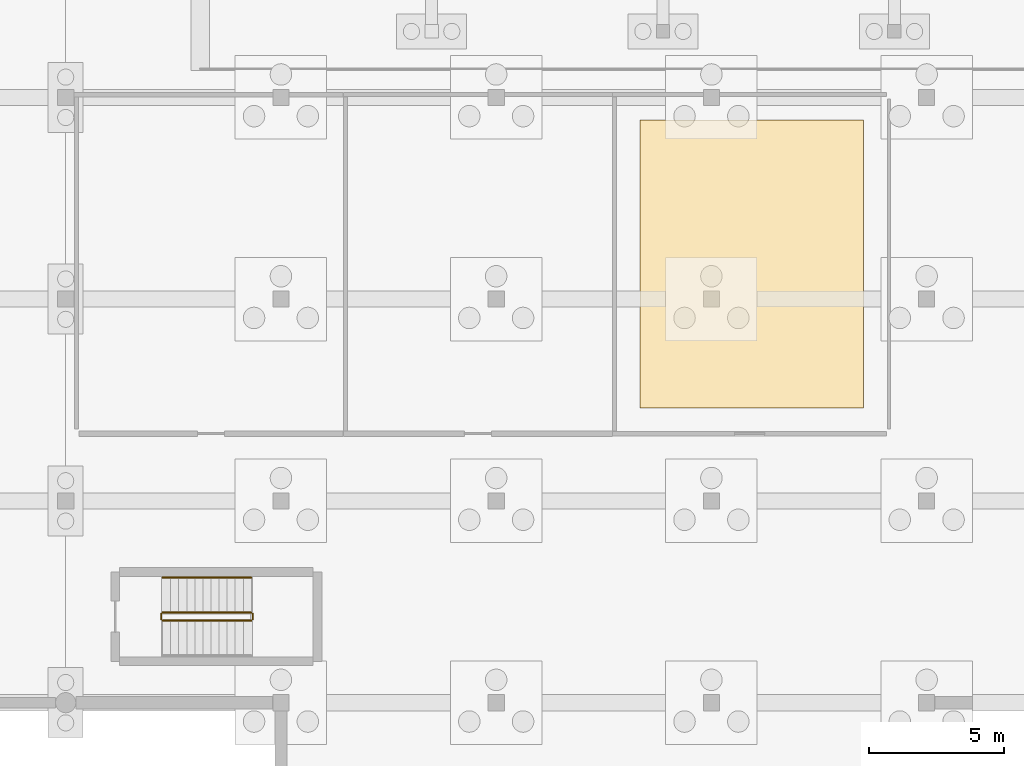
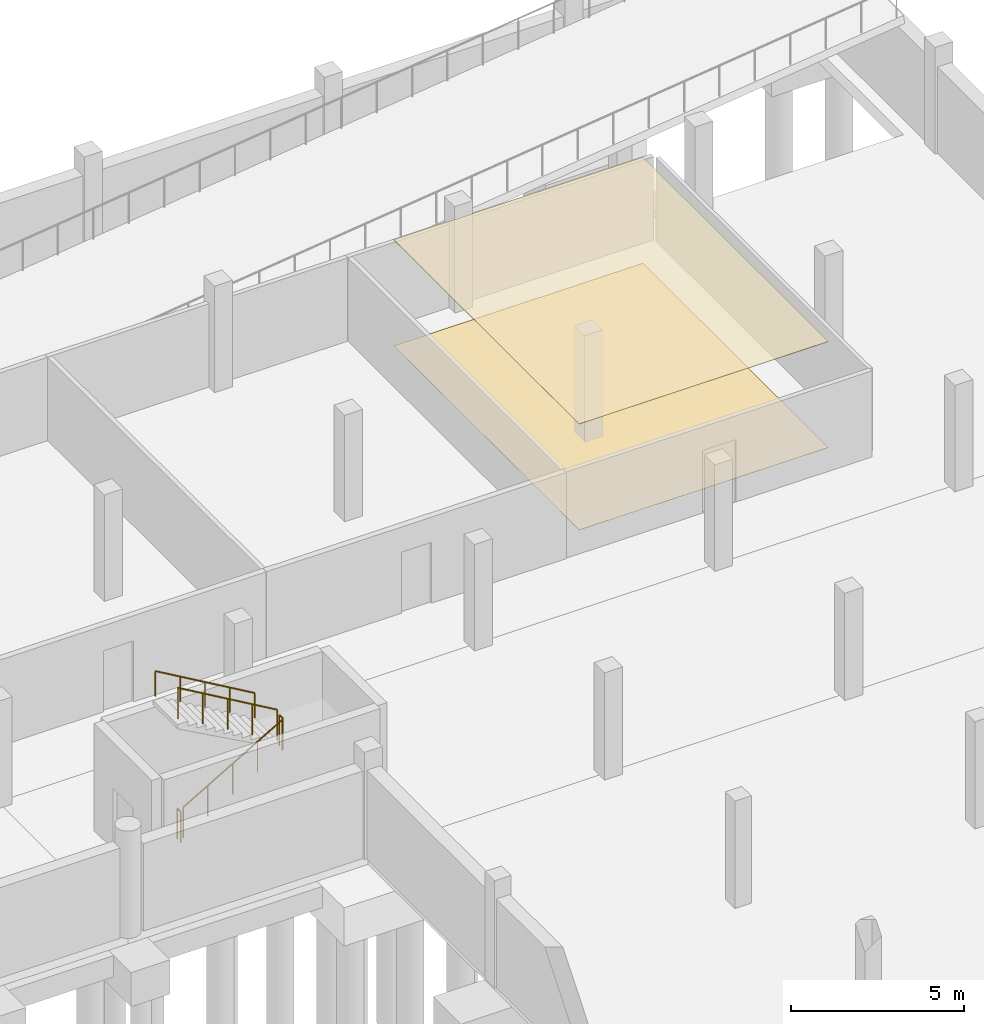
# One storey, part 15 of 17: 5 railings, 2 coverings.
"""IFC4 building model written with IfcOpenShell, lengths in metres."""

from ifc_helpers import new_model, si_unit, direction, frame, origin, origin_2d, place, context, subcontext, project, spatial, polyline, circle, outline, extrude, material, layer, layer_set, type_object, element, save


model = new_model("IFC4")

# Units and contexts
model_context = context("Model", 3, precision=1e-05, world=origin(), true_north=direction((0.0, 1.0)))
body_context = subcontext(model_context, "Body", "Model", "MODEL_VIEW")
ifc_project = project(units=[si_unit("LENGTHUNIT", "METRE"), si_unit("AREAUNIT", "SQUARE_METRE"), si_unit("VOLUMEUNIT", "CUBIC_METRE"), si_unit("PLANEANGLEUNIT", "RADIAN"), si_unit("MASSUNIT", "GRAM", prefix="KILO")], contexts=[model_context])

# Site, building, storey
site_placement = place(None, origin())
site = spatial("IfcSite", under=ifc_project, at=site_placement, CompositionType="ELEMENT")
building_placement = place(site_placement, origin())
building = spatial("IfcBuilding", under=site, at=building_placement, Name="Mawjan Specialist Oncology Clinic", CompositionType="ELEMENT")
storey_placement = place(building_placement, frame((0.0, 0.0, -4.199951171875)))
storey = spatial("IfcBuildingStorey", under=building, at=storey_placement, Name="B01", CompositionType="ELEMENT", Elevation=-4.199951171875)

# Coverings
ifc_material_1 = material(Name="Hygienic antimicrobial acoustic mineral ceiling tile", Category="gypsum")
ifc_layer_1 = layer(ifc_material_1, 0.02001953125, Name="Hygienic antimicrobial acoustic mineral ceiling tile", Category="gypsum")
ifc_layer_set_1 = layer_set([ifc_layer_1], Name="Hygienic antimicrobial acoustic mineral ceiling tile")
covering_type_1 = type_object("IfcCoveringType", Name="CLG-AC20", PredefinedType="CEILING", material=ifc_layer_set_1)
covering_1_placement = place(storey_placement, frame((0.0, 0.0, 3.724853515625)))
element("IfcCovering", 1, at=covering_1_placement, inside=storey, type_object=covering_type_1, Name="B01 Medical Gas Manifold Room Acoustic Ceiling", PredefinedType="CEILING", context=body_context, shape_type="SweptSolid", body=[
    extrude(outline(polyline([(137.64990234375, 97.449951171875), (137.64990234375, 86.75), (129.35009765625, 86.75), (129.35009765625, 97.449951171875), (137.64990234375, 97.449951171875)])), origin(), (0.0, 0.0, 1.0), 0.02001953125),
])
ifc_material_2 = material(Name="Seamless clinical anti-static homogeneous vinyl flooring", Category="plastic")
ifc_layer_2 = layer(ifc_material_2, 0.008056640625, Name="Seamless clinical anti-static homogeneous vinyl flooring", Category="plastic")
ifc_layer_set_2 = layer_set([ifc_layer_2], Name="Seamless clinical anti-static homogeneous vinyl flooring")
covering_type_2 = type_object("IfcCoveringType", Name="FLR-VN08", PredefinedType="FLOORING", material=ifc_layer_set_2)
covering_2_placement = place(storey_placement, origin())
element("IfcCovering", 2, at=covering_2_placement, inside=storey, type_object=covering_type_2, Name="B01 Medical Gas Manifold Room Clinical Vinyl Flooring", PredefinedType="FLOORING", context=body_context, shape_type="SweptSolid", body=[
    extrude(outline(polyline([(137.64990234375, 97.449951171875), (137.64990234375, 86.75), (129.35009765625, 86.75), (129.35009765625, 97.449951171875), (137.64990234375, 97.449951171875)])), origin(), (0.0, 0.0, 1.0), 0.008056640625),
])

# Railings
ifc_material_3 = material(Name="Powder-coated steel stair guard with vertical infill pickets", Category="steel")
railing_type_1 = type_object("IfcRailingType", Name="GR-110", PredefinedType="GUARDRAIL", material=ifc_material_3)
railing_1_placement = place(storey_placement, frame((111.60009765625, 78.85009765625, 0.175048828125)))
element("IfcRailing", 3, at=railing_1_placement, inside=storey, type_object=railing_type_1, Name="B01 ST-08 stair guard 1", PredefinedType="GUARDRAIL", context=body_context, shape_type="SweptSolid", body=[
    extrude(circle(Radius=0.02392578125, at=origin_2d()), frame((0.0, 0.0, 1.076171875), z_axis=(0.863788172461, 0.0, 0.503855131081), x_axis=(0.0, 1.0, 0.0)), (0.0, 0.0, 1.0), 3.820068359375),
    extrude(circle(Radius=0.02099609375, at=origin_2d()), origin(), (0.0, 0.0, 1.0), 1.052001953125),
    extrude(circle(Radius=0.02099609375, at=origin_2d()), frame((0.824951171875, 0.0, 0.481201171875)), (0.0, 0.0, 1.0), 1.052001953125),
    extrude(circle(Radius=0.02099609375, at=origin_2d()), frame((1.64990234375, 0.0, 0.96240234375)), (0.0, 0.0, 1.0), 1.052001953125),
    extrude(circle(Radius=0.02099609375, at=origin_2d()), frame((2.474853515625, 0.0, 1.443603515625)), (0.0, 0.0, 1.0), 1.052001953125),
    extrude(circle(Radius=0.02099609375, at=origin_2d()), frame((3.2998046875, 0.0, 1.9248046875)), (0.0, 0.0, 1.0), 1.052001953125),
])
railing_2_placement = place(storey_placement, frame((114.949951171875, 78.89990234375, 2.099853515625)))
element("IfcRailing", 4, at=railing_2_placement, inside=storey, type_object=railing_type_1, Name="B01 ST-08 stair guard 2", PredefinedType="GUARDRAIL", context=body_context, shape_type="SweptSolid", body=[
    extrude(circle(Radius=0.02392578125, at=origin_2d()), frame((0.0, 0.0, 1.076171875), z_axis=(0.0, 1.0, 0.0), x_axis=(-1.0, 0.0, 0.0)), (0.0, 0.0, 1.0), 0.2001953125),
    extrude(circle(Radius=0.02099609375, at=origin_2d()), origin(), (0.0, 0.0, 1.0), 1.052001953125),
    extrude(circle(Radius=0.02099609375, at=origin_2d()), frame((0.0, 0.2001953125, 0.0)), (0.0, 0.0, 1.0), 1.052001953125),
])
railing_3_placement = place(storey_placement, frame((114.89990234375, 79.14990234375, 2.27490234375)))
element("IfcRailing", 5, at=railing_3_placement, inside=storey, type_object=railing_type_1, Name="B01 ST-08 stair guard 3", PredefinedType="GUARDRAIL", context=body_context, shape_type="SweptSolid", body=[
    extrude(circle(Radius=0.02392578125, at=origin_2d()), frame((0.0, 0.0, 1.076171875), z_axis=(-0.863760357493, 0.0, 0.503902812876), x_axis=(0.0, -1.0, 0.0)), (0.0, 0.0, 1.0), 3.8203125),
    extrude(circle(Radius=0.02099609375, at=origin_2d()), origin(), (0.0, 0.0, 1.0), 1.052001953125),
    extrude(circle(Radius=0.02099609375, at=origin_2d()), frame((-0.824951171875, 0.0, 0.481201171875)), (0.0, 0.0, 1.0), 1.052001953125),
    extrude(circle(Radius=0.02099609375, at=origin_2d()), frame((-1.64990234375, 0.0, 0.96240234375)), (0.0, 0.0, 1.0), 1.052001953125),
    extrude(circle(Radius=0.02099609375, at=origin_2d()), frame((-2.474853515625, 0.0, 1.44384765625)), (0.0, 0.0, 1.0), 1.052001953125),
    extrude(circle(Radius=0.02099609375, at=origin_2d()), frame((-3.2998046875, 0.0, 1.925048828125)), (0.0, 0.0, 1.0), 1.052001953125),
])
railing_4_placement = place(storey_placement, frame((111.550048828125, 78.89990234375, 0.0)))
element("IfcRailing", 6, at=railing_4_placement, inside=storey, type_object=railing_type_1, Name="B01 ST-08 stair guard 4", PredefinedType="GUARDRAIL", context=body_context, shape_type="SweptSolid", body=[
    extrude(circle(Radius=0.02392578125, at=origin_2d()), frame((0.0, 0.0, 1.076171875), z_axis=(0.0, 1.0, 0.0), x_axis=(-1.0, 0.0, 0.0)), (0.0, 0.0, 1.0), 0.2001953125),
    extrude(circle(Radius=0.02099609375, at=origin_2d()), origin(), (0.0, 0.0, 1.0), 1.052001953125),
    extrude(circle(Radius=0.02099609375, at=origin_2d()), frame((0.0, 0.2001953125, 0.0)), (0.0, 0.0, 1.0), 1.052001953125),
])
ifc_material_4 = material(Name="Brushed stainless-steel tubular handrail", Category="steel")
railing_type_2 = type_object("IfcRailingType", Name="HR-090", PredefinedType="HANDRAIL", material=ifc_material_4)
railing_5_placement = place(storey_placement, frame((114.89990234375, 80.449951171875, 2.27490234375)))
element("IfcRailing", 7, at=railing_5_placement, inside=storey, type_object=railing_type_2, Name="B01 ST-08 stair handrail 2", PredefinedType="HANDRAIL", context=body_context, shape_type="SweptSolid", body=[
    extrude(circle(Radius=0.02392578125, at=origin_2d()), frame((0.0, 0.0, 0.8759765625), z_axis=(-0.863760357493, 0.0, 0.503902812876), x_axis=(0.0, -1.0, 0.0)), (0.0, 0.0, 1.0), 3.8203125),
    extrude(circle(Radius=0.02099609375, at=origin_2d()), origin(), (0.0, 0.0, 1.0), 0.851806640625),
    extrude(circle(Radius=0.02099609375, at=origin_2d()), frame((-0.824951171875, 0.0, 0.481201171875)), (0.0, 0.0, 1.0), 0.851806640625),
    extrude(circle(Radius=0.02099609375, at=origin_2d()), frame((-1.64990234375, 0.0, 0.96240234375)), (0.0, 0.0, 1.0), 0.851806640625),
    extrude(circle(Radius=0.02099609375, at=origin_2d()), frame((-2.474853515625, 0.0, 1.44384765625)), (0.0, 0.0, 1.0), 0.851806640625),
    extrude(circle(Radius=0.02099609375, at=origin_2d()), frame((-3.2998046875, 0.0, 1.925048828125)), (0.0, 0.0, 1.0), 0.851806640625),
])

save(model, "model.ifc")
